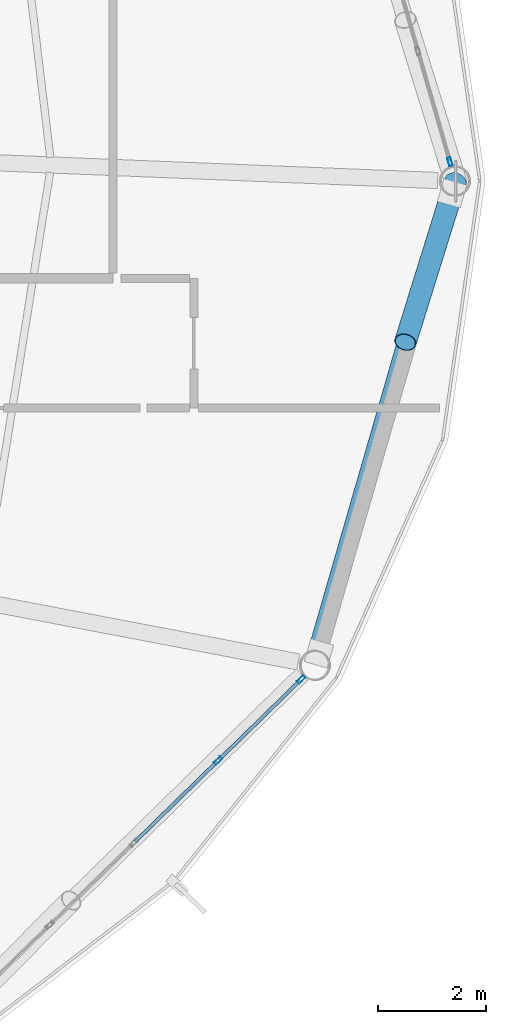
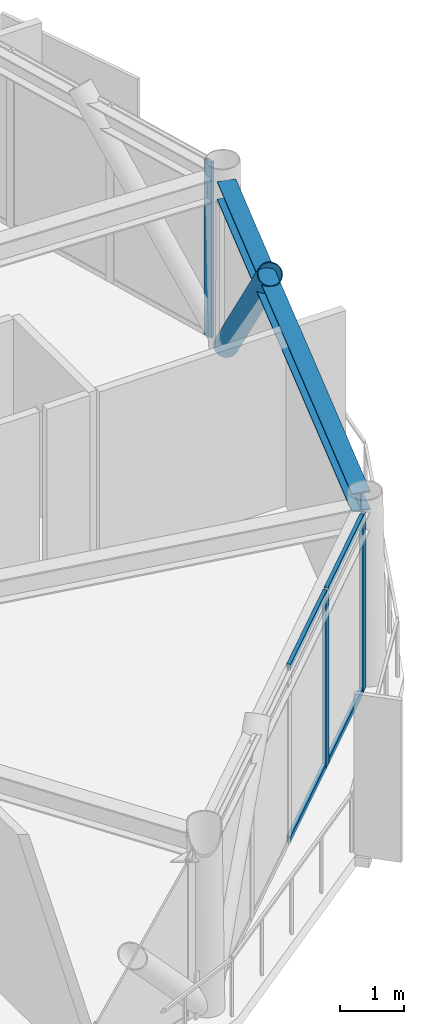
# One storey, part 16 of 27: 8 members, 1 beam, 2 elements without a shape of their own.
"""IFC4 building model written with IfcOpenShell, lengths in metres."""

from ifc_helpers import new_model, si_unit, direction, frame, origin, origin_2d, place, context, subcontext, project, spatial, hollow_rectangle, hollow_circle, i_section, extrude, material, layer, layer_set, material_profile, profile_set, type_object, element, aggregate, save


model = new_model("IFC4")

# Units and contexts
model_context = context("Model", 3, precision=1e-05, world=origin(), true_north=direction((0.0, 1.0)))
body_context = subcontext(model_context, "Body", "Model", "MODEL_VIEW")
ifc_project = project(units=[si_unit("LENGTHUNIT", "METRE"), si_unit("AREAUNIT", "SQUARE_METRE"), si_unit("VOLUMEUNIT", "CUBIC_METRE"), si_unit("PLANEANGLEUNIT", "RADIAN"), si_unit("MASSUNIT", "GRAM", prefix="KILO")], contexts=[model_context])

# Site, building, storey
site_placement = place(None, origin())
site = spatial("IfcSite", under=ifc_project, at=site_placement, CompositionType="ELEMENT")
building_placement = place(site_placement, origin())
building = spatial("IfcBuilding", under=site, at=building_placement, Name="Varnakorn Sky Granary", CompositionType="ELEMENT")
storey_placement = place(building_placement, frame((0.0, 0.0, 249.0)))
storey = spatial("IfcBuildingStorey", under=building, at=storey_placement, Name="L63", CompositionType="ELEMENT", Elevation=249.0)

# Beam
ifc_material_1 = material(Name="Steel S355JR", Category="steel")
ifc_material_profile_1 = material_profile(ifc_material_1, i_section(OverallWidth=0.300048828125, OverallDepth=0.360107421875, WebThickness=0.012451171875, FlangeThickness=0.0224609375, at=origin_2d()), Name="HE 360 B")
ifc_profile_set_1 = profile_set([ifc_material_profile_1], Name="Steel S355JR")
beam_type = type_object("IfcBeamType", Name="BM-SPD-Z5", PredefinedType="SPANDREL", material=ifc_profile_set_1)
beam_placement = place(storey_placement, frame((20.7646484375, -8.697998046875, 3.179931640625), z_axis=(0.277500910444, 0.960725374237, 0.0), x_axis=(-0.960725374237, 0.277500910444, 0.0)))
element("IfcBeam", 1, at=beam_placement, inside=storey, type_object=beam_type, Name="Perimeter Spandrel Ring Beam RB12 L63", PredefinedType="SPANDREL", context=body_context, shape_type="SweptSolid", body=[
    extrude(i_section(OverallWidth=0.300048828125, OverallDepth=0.360107421875, WebThickness=0.012451171875, FlangeThickness=0.0224609375, at=origin_2d()), origin(), (0.0, 0.0, 1.0), 8.7890625),
])

# Curtain wall, member
ifc_material_2 = material(Name="Anodised Bronze Aluminium Alloy 6063-T6", Category="aluminium")
ifc_layer = layer(ifc_material_2, 0.159912109375, Name="Anodised Bronze Aluminium Alloy 6063-T6")
ifc_layer_set = layer_set([ifc_layer], Name="Anodised Bronze Aluminium Alloy 6063-T6")
curtain_wall_type = type_object("IfcCurtainWallType", Name="CW-OFF-1", PredefinedType="USERDEFINED", material=ifc_layer_set)
curtain_wall_1_placement = place(storey_placement, origin())
curtain_wall_1 = element("IfcCurtainWall", 2, at=curtain_wall_1_placement, inside=storey, type_object=curtain_wall_type, Name="Unitised Curtain Wall CW6 CW-L63-B01", ObjectType="CURTAIN WALL", PredefinedType="USERDEFINED")
ifc_material_profile_2 = material_profile(ifc_material_2, hollow_rectangle(XDim=0.06494140625, YDim=0.159912109375, WallThickness=0.00341796875, at=origin_2d()), Name="ALU MULL 65x160")
ifc_profile_set_2 = profile_set([ifc_material_profile_2], Name="Anodised Bronze Aluminium Alloy 6063-T6")
member_type_1 = type_object("IfcMemberType", Name="CW-OFF-1-MULL", PredefinedType="MULLION", material=ifc_profile_set_2)
member_1_placement = place(storey_placement, frame((23.241455078125, 0.357421875, 0.0), z_axis=(0.0, 0.0, 1.0), x_axis=(0.960610363601, 0.277898775352, 0.0)))
member_1 = element("IfcMember", 3, at=member_1_placement, type_object=member_type_1, Name="CW6 mullion 5", PredefinedType="MULLION", context=body_context, shape_type="SweptSolid", body=[
    extrude(hollow_rectangle(XDim=0.06494140625, YDim=0.159912109375, WallThickness=0.00341796875, at=origin_2d()), origin(), (0.0, 0.0, 1.0), 3.360107421875),
])
aggregate(curtain_wall_1, [member_1])

# Curtain wall, members
curtain_wall_2_placement = place(storey_placement, origin())
curtain_wall_2 = element("IfcCurtainWall", 4, at=curtain_wall_2_placement, inside=storey, type_object=curtain_wall_type, Name="Unitised Curtain Wall CW6 CW-L63-B11", ObjectType="CURTAIN WALL", PredefinedType="USERDEFINED")
member_2_placement = place(storey_placement, frame((20.484130859375, -9.22900390625, 0.0), z_axis=(0.0, 0.0, 1.0), x_axis=(0.698832913663, -0.71528494936, 0.0)))
member_2 = element("IfcMember", 5, at=member_2_placement, type_object=member_type_1, Name="CW6 mullion 1", PredefinedType="MULLION", context=body_context, shape_type="SweptSolid", body=[
    extrude(hollow_rectangle(XDim=0.06494140625, YDim=0.159912109375, WallThickness=0.00341796875, at=origin_2d()), origin(), (0.0, 0.0, 1.0), 3.360107421875),
])
member_3_placement = place(storey_placement, frame((18.94873046875, -10.72900390625, 0.0), z_axis=(0.0, 0.0, 1.0), x_axis=(0.698832913663, -0.71528494936, 0.0)))
member_3 = element("IfcMember", 6, at=member_3_placement, type_object=member_type_1, Name="CW6 mullion 2", PredefinedType="MULLION", context=body_context, shape_type="SweptSolid", body=[
    extrude(hollow_rectangle(XDim=0.06494140625, YDim=0.159912109375, WallThickness=0.00341796875, at=origin_2d()), origin(), (0.0, 0.0, 1.0), 3.360107421875),
])
ifc_material_profile_3 = material_profile(ifc_material_2, hollow_rectangle(XDim=0.06494140625, YDim=0.1201171875, WallThickness=0.00341796875, at=origin_2d()), Name="ALU TRAN 65x120")
ifc_profile_set_3 = profile_set([ifc_material_profile_3], Name="Anodised Bronze Aluminium Alloy 6063-T6")
member_type_2 = type_object("IfcMemberType", Name="CW-OFF-1-TRAN", PredefinedType="USERDEFINED", material=ifc_profile_set_3)
member_4_placement = place(storey_placement, frame((20.4609375, -9.251708984375, 0.032470703125), z_axis=(-0.715327094579, -0.698789773652, 0.0), x_axis=(0.698789773652, -0.715327094579, 0.0)))
member_4 = element("IfcMember", 7, at=member_4_placement, type_object=member_type_2, Name="CW6 transom 1.1", ObjectType="TRANSOM", PredefinedType="USERDEFINED", context=body_context, shape_type="SweptSolid", body=[
    extrude(hollow_rectangle(XDim=0.06494140625, YDim=0.1201171875, WallThickness=0.00341796875, at=origin_2d()), origin(), (0.0, 0.0, 1.0), 2.08154296875),
])
member_5_placement = place(storey_placement, frame((20.4609375, -9.251708984375, 3.327392578125), z_axis=(-0.715327094579, -0.698789773652, 0.0), x_axis=(0.698789773652, -0.715327094579, 0.0)))
member_5 = element("IfcMember", 8, at=member_5_placement, type_object=member_type_2, Name="CW6 transom 1.2", ObjectType="TRANSOM", PredefinedType="USERDEFINED", context=body_context, shape_type="SweptSolid", body=[
    extrude(hollow_rectangle(XDim=0.06494140625, YDim=0.1201171875, WallThickness=0.00341796875, at=origin_2d()), origin(), (0.0, 0.0, 1.0), 2.08154296875),
])
member_6_placement = place(storey_placement, frame((18.925537109375, -10.751708984375, 0.032470703125), z_axis=(-0.715258040249, -0.698860455212, 0.0), x_axis=(0.698860455212, -0.715258040249, 0.0)))
member_6 = element("IfcMember", 9, at=member_6_placement, type_object=member_type_2, Name="CW6 transom 2.1", ObjectType="TRANSOM", PredefinedType="USERDEFINED", context=body_context, shape_type="SweptSolid", body=[
    extrude(hollow_rectangle(XDim=0.06494140625, YDim=0.1201171875, WallThickness=0.00341796875, at=origin_2d()), origin(), (0.0, 0.0, 1.0), 2.1142578125),
])
member_7_placement = place(storey_placement, frame((18.925537109375, -10.751708984375, 3.327392578125), z_axis=(-0.715258040249, -0.698860455212, 0.0), x_axis=(0.698860455212, -0.715258040249, 0.0)))
member_7 = element("IfcMember", 10, at=member_7_placement, type_object=member_type_2, Name="CW6 transom 2.2", ObjectType="TRANSOM", PredefinedType="USERDEFINED", context=body_context, shape_type="SweptSolid", body=[
    extrude(hollow_rectangle(XDim=0.06494140625, YDim=0.1201171875, WallThickness=0.00341796875, at=origin_2d()), origin(), (0.0, 0.0, 1.0), 2.1142578125),
])
aggregate(curtain_wall_2, [member_2, member_3, member_4, member_5, member_6, member_7])

# Member
ifc_material_3 = material(Name="Steel S460M", Category="steel")
ifc_material_profile_4 = material_profile(ifc_material_3, hollow_circle(Radius=0.203125, WallThickness=0.01611328125, at=origin_2d()), Name="CHS 406.4x16")
ifc_profile_set_4 = profile_set([ifc_material_profile_4], Name="Steel S460M")
member_type_3 = type_object("IfcMemberType", Name="MB-DIAG-T4", PredefinedType="BRACE", material=ifc_profile_set_4)
member_8_placement = place(storey_placement, frame((23.344970703125, 0.0, 0.0), z_axis=(-0.198495078552, -0.636914373868, 0.74494280596), x_axis=(0.954710420924, -0.297536572844, 0.0)))
element("IfcMember", 11, at=member_8_placement, inside=storey, type_object=member_type_3, Name="Perimeter CHS Diagrid Brace DG12 L63", PredefinedType="BRACE", context=body_context, shape_type="SweptSolid", body=[
    extrude(hollow_circle(Radius=0.203125, WallThickness=0.01611328125, at=origin_2d()), origin(), (0.0, 0.0, 1.0), 4.684814453125),
])

save(model, "model.ifc")
